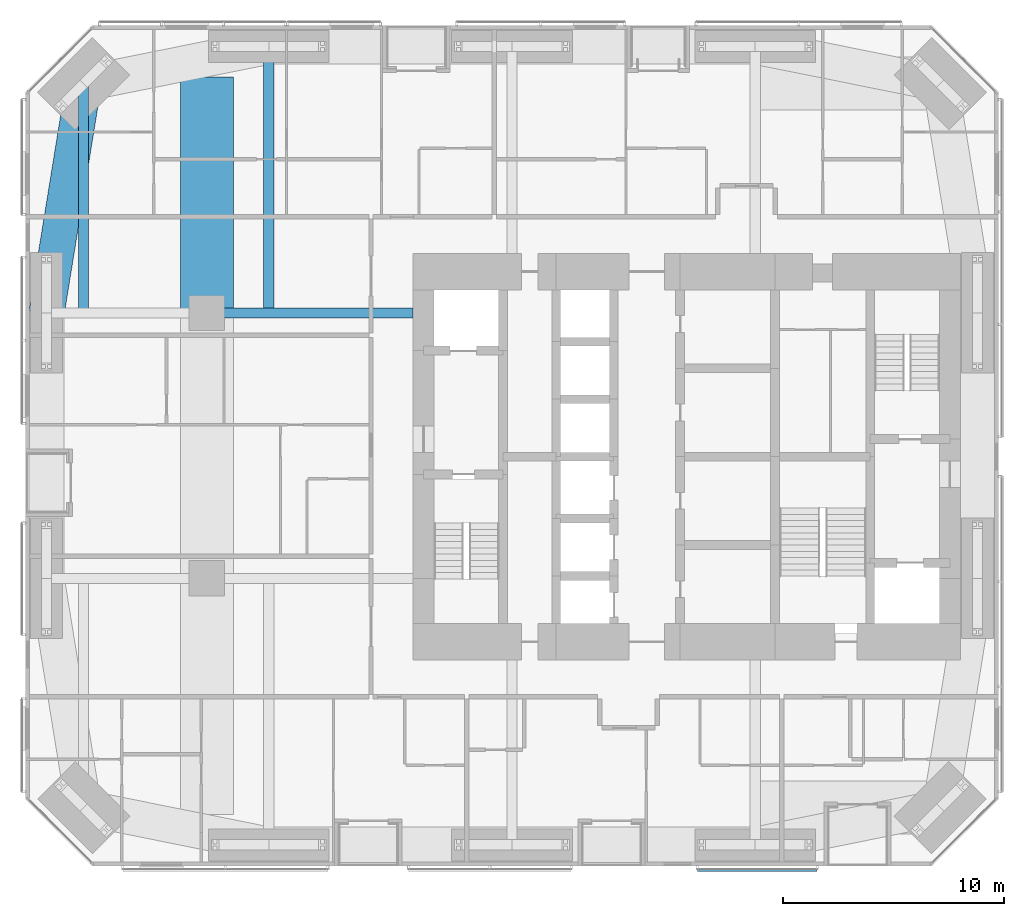
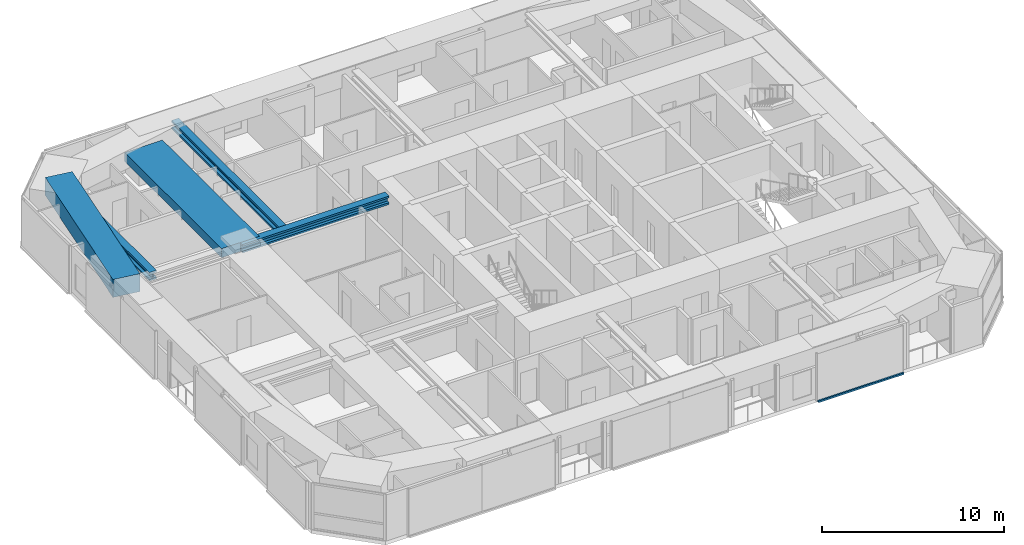
# One storey, part 7 of 23: 5 beams, 1 member, 1 element without a shape of its own.
"""IFC4 building model written with IfcOpenShell, lengths in metres."""

from ifc_helpers import new_model, si_unit, direction, frame, origin, origin_2d, place, context, subcontext, project, spatial, rectangle, i_section, extrude, material, material_profile, profile_set, type_object, element, aggregate, save


model = new_model("IFC4")

# Units and contexts
model_context = context("Model", 3, precision=1e-05, world=origin(), true_north=direction((0.0, 1.0)))
body_context = subcontext(model_context, "Body", "Model", "MODEL_VIEW")
ifc_project = project(units=[si_unit("LENGTHUNIT", "METRE"), si_unit("AREAUNIT", "SQUARE_METRE"), si_unit("VOLUMEUNIT", "CUBIC_METRE"), si_unit("PLANEANGLEUNIT", "RADIAN"), si_unit("MASSUNIT", "GRAM", prefix="KILO")], contexts=[model_context])

# Site, building, storey
site_placement = place(None, origin())
site = spatial("IfcSite", under=ifc_project, at=site_placement, CompositionType="ELEMENT")
building_placement = place(site_placement, origin())
building = spatial("IfcBuilding", under=site, at=building_placement, Name="Jalousie Tower", CompositionType="ELEMENT")
storey_placement = place(building_placement, frame((0.0, 0.0, 37.75)))
storey = spatial("IfcBuildingStorey", under=building, at=storey_placement, Name="L09", CompositionType="ELEMENT", Elevation=37.75)

# Beams
ifc_material_1 = material(Name="Steel ASTM A992 Grade 50", Category="steel")
ifc_material_profile_1 = material_profile(ifc_material_1, i_section(OverallWidth=0.45458984375, OverallDepth=0.569091796875, WebThickness=0.077880859375, FlangeThickness=0.124755859375, at=origin_2d()), Name="W14X730")
ifc_profile_set_1 = profile_set([ifc_material_profile_1], Name="Steel ASTM A992 Grade 50")
beam_type_1 = type_object("IfcBeamType", Name="LEAN COLLECTOR W14X730", PredefinedType="BEAM", material=ifc_profile_set_1)
beam_1_placement = place(storey_placement, frame((10.199951171875, 25.0, 2.825439453125), z_axis=(1.0, 0.0, 0.0), x_axis=(0.0, 1.0, 0.0)))
element("IfcBeam", 1, at=beam_1_placement, inside=storey, type_object=beam_type_1, Name="Lean collector under L10", PredefinedType="BEAM", context=body_context, shape_type="SweptSolid", body=[
    extrude(i_section(OverallWidth=0.45458984375, OverallDepth=0.569091796875, WebThickness=0.077880859375, FlangeThickness=0.124755859375, at=origin_2d()), origin(), (0.0, 0.0, 1.0), 9.324951171875),
])
beam_2_placement = place(storey_placement, frame((4.63134765625, 35.36865234375, 2.825439453125), z_axis=(0.0, -1.0, 0.0), x_axis=(1.0, 0.0, 0.0)))
element("IfcBeam", 2, at=beam_2_placement, inside=storey, type_object=beam_type_1, Name="Lean collector under L10", PredefinedType="BEAM", context=body_context, shape_type="SweptSolid", body=[
    extrude(i_section(OverallWidth=0.45458984375, OverallDepth=0.569091796875, WebThickness=0.077880859375, FlangeThickness=0.124755859375, at=origin_2d()), origin(), (0.0, 0.0, 1.0), 10.36865234375),
])
beam_3_placement = place(storey_placement, frame((13.0, 37.050048828125, 2.825439453125), z_axis=(0.0, -1.0, 0.0), x_axis=(1.0, 0.0, 0.0)))
element("IfcBeam", 3, at=beam_3_placement, inside=storey, type_object=beam_type_1, Name="Lean collector under L10", PredefinedType="BEAM", context=body_context, shape_type="SweptSolid", body=[
    extrude(i_section(OverallWidth=0.45458984375, OverallDepth=0.569091796875, WebThickness=0.077880859375, FlangeThickness=0.124755859375, at=origin_2d()), origin(), (0.0, 0.0, 1.0), 12.050048828125),
])
ifc_material_2 = material(Name="Concrete f'c 40 MPa", Category="concrete")
ifc_material_profile_2 = material_profile(ifc_material_2, rectangle(XDim=1.60009765625, YDim=1.199951171875, at=origin_2d()), Name="RC 1600x1200")
ifc_profile_set_2 = profile_set([ifc_material_profile_2], Name="Concrete f'c 40 MPa")
beam_type_2 = type_object("IfcBeamType", Name="RC BEAM 1600x1200", PredefinedType="BEAM", material=ifc_profile_set_2)
beam_4_placement = place(storey_placement, frame((4.63134765625, 35.36865234375, 2.75), z_axis=(-0.160070546476, -0.987105577003, 0.0), x_axis=(0.987105577003, -0.160070546476, 0.0)))
element("IfcBeam", 4, at=beam_4_placement, inside=storey, type_object=beam_type_2, Name="Edge band beam 12-13 under L10", PredefinedType="BEAM", context=body_context, shape_type="SweptSolid", body=[
    extrude(rectangle(XDim=1.60009765625, YDim=1.199951171875, at=origin_2d()), origin(), (0.0, 0.0, 1.0), 10.504150390625),
])
ifc_material_3 = material(Name="Concrete f'c 40 MPa", Category="concrete")
ifc_material_profile_3 = material_profile(ifc_material_3, rectangle(XDim=2.39990234375, YDim=0.60009765625, at=origin_2d()), Name="RC 2400x600")
ifc_profile_set_3 = profile_set([ifc_material_profile_3], Name="Concrete f'c 40 MPa")
beam_type_3 = type_object("IfcBeamType", Name="RC BEAM 2400x600", PredefinedType="BEAM", material=ifc_profile_set_3)
beam_5_placement = place(storey_placement, frame((10.199951171875, 25.0, 2.81005859375), z_axis=(0.0, 1.0, 0.0), x_axis=(-1.0, 0.0, 0.0)))
element("IfcBeam", 5, at=beam_5_placement, inside=storey, type_object=beam_type_3, Name="Floor band beam under L10", PredefinedType="BEAM", context=body_context, shape_type="SweptSolid", body=[
    extrude(rectangle(XDim=2.39990234375, YDim=0.60009765625, at=origin_2d()), origin(), (0.0, 0.0, 1.0), 10.67138671875),
])

# Curtain wall, member
ifc_material_4 = material(Name="Perforated aluminium sheet", Category="aluminium")
curtain_wall_type = type_object("IfcCurtainWallType", Name="SOLAR SCREEN SS-1", PredefinedType="USERDEFINED", material=ifc_material_4)
curtain_wall_placement = place(storey_placement, origin())
curtain_wall = element("IfcCurtainWall", 6, at=curtain_wall_placement, inside=storey, type_object=curtain_wall_type, Name="Solar screen L09", ObjectType="SOLAR SCREEN SS-1", PredefinedType="USERDEFINED")
ifc_material_5 = material(Name="Extruded aluminium screen rail", Category="aluminium")
ifc_material_profile_4 = material_profile(ifc_material_5, rectangle(XDim=0.1015625, YDim=0.1201171875, at=origin_2d()), Name="RAIL 102x120")
ifc_profile_set_4 = profile_set([ifc_material_profile_4], Name="Extruded aluminium screen rail")
member_type = type_object("IfcMemberType", Name="SOLAR SCREEN SS-1 TRANSOM", PredefinedType="USERDEFINED", material=ifc_profile_set_4)
member_placement = place(storey_placement, frame((32.382568359375, -0.1982421875, -0.06005859375), z_axis=(1.0, 0.0, 0.0), x_axis=(0.0, 1.0, 0.0)))
member = element("IfcMember", 7, at=member_placement, type_object=member_type, Name="SS1 rail", ObjectType="TRANSOM", PredefinedType="USERDEFINED", context=body_context, shape_type="SweptSolid", body=[
    extrude(rectangle(XDim=0.1015625, YDim=0.1201171875, at=origin_2d()), origin(), (0.0, 0.0, 1.0), 5.41748046875),
])
aggregate(curtain_wall, [member])

save(model, "model.ifc")
